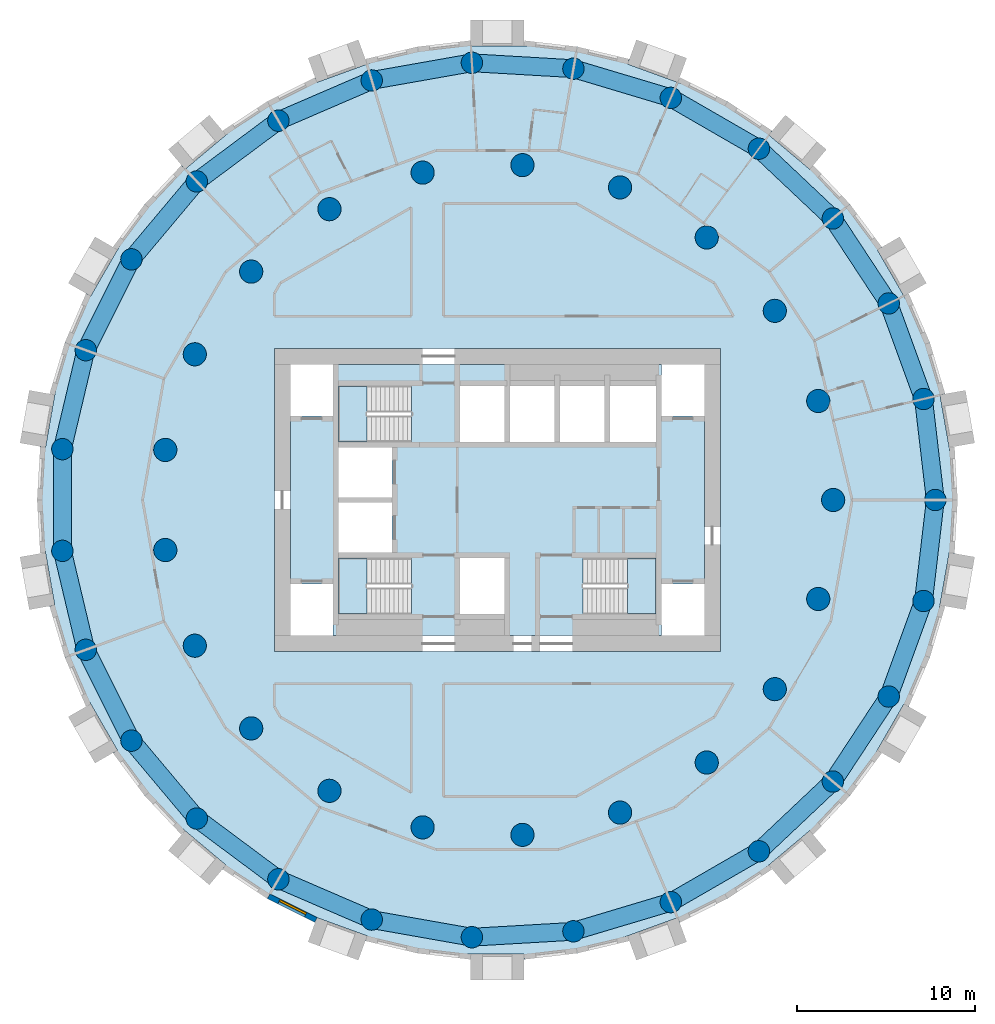
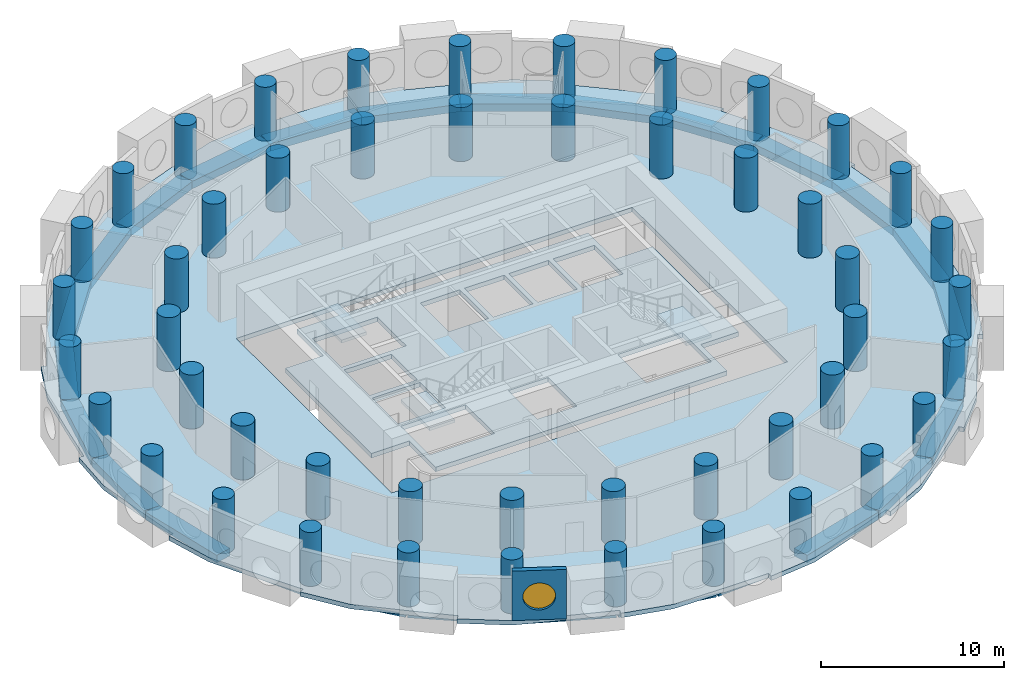
# One storey, part 1 of 9: 48 columns, 27 beams, 5 slabs, 1 wall, 1 window, 1 opening, 3 elements without a shape of their own.
"""IFC4 building model written with IfcOpenShell, lengths in metres."""

from ifc_helpers import new_model, si_unit, direction, frame, frame_2d, origin, origin_2d, place, context, subcontext, project, spatial, polyline, rectangle, circle, outline, extrude, material, layer, layer_set, material_profile, profile_set, type_object, element, fill, aggregate, save


model = new_model("IFC4")

# Units and contexts
model_context = context("Model", 3, precision=1e-05, world=origin(), true_north=direction((0.0, 1.0)))
body_context = subcontext(model_context, "Body", "Model", "MODEL_VIEW")
ifc_project = project(units=[si_unit("LENGTHUNIT", "METRE"), si_unit("AREAUNIT", "SQUARE_METRE"), si_unit("VOLUMEUNIT", "CUBIC_METRE"), si_unit("PLANEANGLEUNIT", "RADIAN"), si_unit("MASSUNIT", "GRAM", prefix="KILO")], contexts=[model_context])

# Site, building, storey
site_placement = place(None, origin())
site = spatial("IfcSite", under=ifc_project, at=site_placement, CompositionType="ELEMENT")
building_placement = place(site_placement, origin())
building = spatial("IfcBuilding", under=site, at=building_placement, Name="Tracery Tower", CompositionType="ELEMENT")
storey_placement = place(building_placement, frame((0.0, 0.0, 172.800048828125)))
storey = spatial("IfcBuildingStorey", under=building, at=storey_placement, Name="L44", CompositionType="ELEMENT", Elevation=172.800048828125)

# Columns
ifc_material_1 = material(Name="Concrete C50/60", Category="concrete")
ifc_material_profile_1 = material_profile(ifc_material_1, circle(Radius=0.60009765625, at=origin_2d()), Name="RC D1200")
ifc_profile_set_1 = profile_set([ifc_material_profile_1], Name="Concrete C50/60")
column_type_1 = type_object("IfcColumnType", Name="Ring 1 column 1200", PredefinedType="COLUMN", material=ifc_profile_set_1)
for number, where, z_axis, x_axis, name in (
    (1, (24.547607421875, 0.0, 0.0), (0.0, 0.0, 1.0), (1.0, 0.0, 0.0), "Ring 1 column 00 at L44"),
    (2, (23.885986328125, 5.6611328125, 0.0), (0.0, 0.0, 1.0), (1.0, 0.0, 0.0), "Ring 1 column 01 at L44"),
    (3, (21.9365234375, 11.01708984375, 0.0), (0.0, 0.0, 1.0), (1.0, 0.0, 0.0), "Ring 1 column 02 at L44"),
    (4, (18.8046875, 15.779052734375, 0.0), (0.0, 0.0, 1.0), (1.0, 0.0, 0.0), "Ring 1 column 03 at L44"),
    (5, (14.658935546875, 19.690185546875, 0.0), (0.0, 0.0, 1.0), (1.0, 0.0, 0.0), "Ring 1 column 04 at L44"),
    (6, (9.722900390625, 22.5400390625, 0.0), (0.0, 0.0, 1.0), (1.0, 0.0, 0.0), "Ring 1 column 05 at L44"),
    (7, (4.2626953125, 24.1748046875, 0.0), (0.0, 0.0, 1.0), (1.0, 0.0, 0.0), "Ring 1 column 06 at L44"),
    (8, (-1.42724609375, 24.506103515625, 0.0), (0.0, 0.0, 1.0), (1.0, 0.0, 0.0), "Ring 1 column 07 at L44"),
    (9, (-7.040283203125, 23.516357421875, 0.0), (0.0, 0.0, 1.0), (1.0, 0.0, 0.0), "Ring 1 column 08 at L44"),
    (10, (-12.273681640625, 21.2587890625, 0.0), (0.0, 0.0, 1.0), (1.0, 0.0, 0.0), "Ring 1 column 09 at L44"),
    (11, (-16.845703125, 17.855224609375, 0.0), (0.0, 0.0, 1.0), (1.0, 0.0, 0.0), "Ring 1 column 10 at L44"),
    (12, (-20.50927734375, 13.4892578125, 0.0), (0.0, 0.0, 1.0), (1.0, 0.0, 0.0), "Ring 1 column 11 at L44"),
    (13, (-23.0673828125, 8.395751953125, 0.0), (0.0, 0.0, 1.0), (1.0, 0.0, 0.0), "Ring 1 column 12 at L44"),
    (14, (-24.381591796875, 2.849853515625, 0.0), (0.0, 0.0, 1.0), (1.0, 0.0, 0.0), "Ring 1 column 13 at L44"),
    (15, (-24.381591796875, -2.849853515625, 0.0), (0.0, 0.0, 1.0), (1.0, 0.0, 0.0), "Ring 1 column 14 at L44"),
    (16, (-23.0673828125, -8.395751953125, 0.0), (0.0, 0.0, 1.0), (1.0, 0.0, 0.0), "Ring 1 column 15 at L44"),
    (17, (-20.50927734375, -13.4892578125, 0.0), (0.0, 0.0, 1.0), (1.0, 0.0, 0.0), "Ring 1 column 16 at L44"),
    (18, (-16.845703125, -17.85546875, 0.0), (0.0, 0.0, 1.0), (1.0, 0.0, 0.0), "Ring 1 column 17 at L44"),
    (19, (-12.27392578125, -21.2587890625, 0.0), (0.0, 0.0, 1.0), (1.0, 0.0, 0.0), "Ring 1 column 18 at L44"),
    (20, (-7.040283203125, -23.516357421875, 0.0), (0.0, 0.0, 1.0), (1.0, 0.0, 0.0), "Ring 1 column 19 at L44"),
    (21, (-1.42724609375, -24.506103515625, 0.0), (0.0, 0.0, 1.0), (1.0, 0.0, 0.0), "Ring 1 column 20 at L44"),
    (22, (4.2626953125, -24.1748046875, 0.0), (0.0, 0.0, 1.0), (1.0, 0.0, 0.0), "Ring 1 column 21 at L44"),
    (23, (9.722900390625, -22.5400390625, 0.0), (0.0, 0.0, 1.0), (1.0, 0.0, 0.0), "Ring 1 column 22 at L44"),
    (24, (14.658935546875, -19.690185546875, 0.0), (0.0, 0.0, 1.0), (1.0, 0.0, 0.0), "Ring 1 column 23 at L44"),
    (25, (18.8046875, -15.779052734375, 0.0), (0.0, 0.0, 1.0), (1.0, 0.0, 0.0), "Ring 1 column 24 at L44"),
    (26, (21.9365234375, -11.01708984375, 0.0), (0.0, 0.0, 1.0), (1.0, 0.0, 0.0), "Ring 1 column 25 at L44"),
    (27, (23.885986328125, -5.6611328125, 0.0), (0.0, 0.0, 1.0), (1.0, 0.0, 0.0), "Ring 1 column 26 at L44"),
):
    element("IfcColumn", number, at=place(storey_placement, frame(where, z_axis=z_axis, x_axis=x_axis)), inside=storey, type_object=column_type_1, Name=name, PredefinedType="COLUMN", context=body_context, shape_type="SweptSolid", body=[
        extrude(circle(Radius=0.60009765625, at=origin_2d()), origin(), (0.0, 0.0, 1.0), 3.599853515625),
    ])
ifc_material_2 = material(Name="Concrete C50/60", Category="concrete")
ifc_material_profile_2 = material_profile(ifc_material_2, circle(Radius=0.64990234375, at=origin_2d()), Name="RC D1300")
ifc_profile_set_2 = profile_set([ifc_material_profile_2], Name="Concrete C50/60")
column_type_2 = type_object("IfcColumnType", Name="Ring 2 column 1300", PredefinedType="COLUMN", material=ifc_profile_set_2)
for number, where, z_axis, x_axis, name in (
    (28, (18.822265625, 0.0, 0.0), (0.0, 0.0, 1.0), (1.0, 0.0, 0.0), "Ring 2 column 00 at L44"),
    (29, (17.986083984375, 5.5478515625, 0.0), (0.0, 0.0, 1.0), (1.0, 0.0, 0.0), "Ring 2 column 01 at L44"),
    (30, (15.551513671875, 10.602783203125, 0.0), (0.0, 0.0, 1.0), (1.0, 0.0, 0.0), "Ring 2 column 02 at L44"),
    (31, (11.7353515625, 14.7158203125, 0.0), (0.0, 0.0, 1.0), (1.0, 0.0, 0.0), "Ring 2 column 03 at L44"),
    (32, (6.87646484375, 17.52099609375, 0.0), (0.0, 0.0, 1.0), (1.0, 0.0, 0.0), "Ring 2 column 04 at L44"),
    (33, (1.406494140625, 18.76953125, 0.0), (0.0, 0.0, 1.0), (1.0, 0.0, 0.0), "Ring 2 column 05 at L44"),
    (34, (-4.188232421875, 18.350341796875, 0.0), (0.0, 0.0, 1.0), (1.0, 0.0, 0.0), "Ring 2 column 06 at L44"),
    (35, (-9.4111328125, 16.300537109375, 0.0), (0.0, 0.0, 1.0), (1.0, 0.0, 0.0), "Ring 2 column 07 at L44"),
    (36, (-13.797607421875, 12.802490234375, 0.0), (0.0, 0.0, 1.0), (1.0, 0.0, 0.0), "Ring 2 column 08 at L44"),
    (37, (-16.958251953125, 8.16650390625, 0.0), (0.0, 0.0, 1.0), (1.0, 0.0, 0.0), "Ring 2 column 09 at L44"),
    (38, (-18.612060546875, 2.805419921875, 0.0), (0.0, 0.0, 1.0), (1.0, 0.0, 0.0), "Ring 2 column 10 at L44"),
    (39, (-18.612060546875, -2.805419921875, 0.0), (0.0, 0.0, 1.0), (1.0, 0.0, 0.0), "Ring 2 column 11 at L44"),
    (40, (-16.958251953125, -8.166748046875, 0.0), (0.0, 0.0, 1.0), (1.0, 0.0, 0.0), "Ring 2 column 12 at L44"),
    (41, (-13.797607421875, -12.80224609375, 0.0), (0.0, 0.0, 1.0), (1.0, 0.0, 0.0), "Ring 2 column 13 at L44"),
    (42, (-9.4111328125, -16.300537109375, 0.0), (0.0, 0.0, 1.0), (1.0, 0.0, 0.0), "Ring 2 column 14 at L44"),
    (43, (-4.188232421875, -18.350341796875, 0.0), (0.0, 0.0, 1.0), (1.0, 0.0, 0.0), "Ring 2 column 15 at L44"),
    (44, (1.406494140625, -18.76953125, 0.0), (0.0, 0.0, 1.0), (1.0, 0.0, 0.0), "Ring 2 column 16 at L44"),
    (45, (6.87646484375, -17.52099609375, 0.0), (0.0, 0.0, 1.0), (1.0, 0.0, 0.0), "Ring 2 column 17 at L44"),
    (46, (11.7353515625, -14.7158203125, 0.0), (0.0, 0.0, 1.0), (1.0, 0.0, 0.0), "Ring 2 column 18 at L44"),
    (47, (15.551513671875, -10.602783203125, 0.0), (0.0, 0.0, 1.0), (1.0, 0.0, 0.0), "Ring 2 column 19 at L44"),
    (48, (17.986083984375, -5.5478515625, 0.0), (0.0, 0.0, 1.0), (1.0, 0.0, 0.0), "Ring 2 column 20 at L44"),
):
    element("IfcColumn", number, at=place(storey_placement, frame(where, z_axis=z_axis, x_axis=x_axis)), inside=storey, type_object=column_type_2, Name=name, PredefinedType="COLUMN", context=body_context, shape_type="SweptSolid", body=[
        extrude(circle(Radius=0.64990234375, at=origin_2d()), origin(), (0.0, 0.0, 1.0), 3.599853515625),
    ])

# Beams
ifc_material_3 = material(Name="Concrete C50/60", Category="concrete")
ifc_material_profile_3 = material_profile(ifc_material_3, rectangle(XDim=1.0, YDim=0.5, at=origin_2d()), Name="RC 1000x500")
ifc_profile_set_3 = profile_set([ifc_material_profile_3], Name="Concrete C50/60")
beam_type = type_object("IfcBeamType", Name="Perimeter band beam 1000x500", PredefinedType="BEAM", material=ifc_profile_set_3)
for number, where, z_axis, x_axis, name in (
    (49, (24.547607421875, 0.0, -0.550048828125), (-0.116080723252, 0.993239782575, 0.0), (-0.993239782575, -0.116080723252, 0.0), "Perimeter beam 1.00 under L44"),
    (50, (23.885986328125, 5.6611328125, -0.550048828125), (-0.342028502279, 0.939689578334, 0.0), (-0.939689578334, -0.342028502279, 0.0), "Perimeter beam 1.01 under L44"),
):
    element("IfcBeam", number, at=place(storey_placement, frame(where, z_axis=z_axis, x_axis=x_axis)), inside=storey, type_object=beam_type, Name=name, PredefinedType="BEAM", context=body_context, shape_type="SweptSolid", body=[
        extrude(rectangle(XDim=1.0, YDim=0.5, at=origin_2d()), origin(), (0.0, 0.0, 1.0), 5.69970703125),
    ])
for number, where, z_axis, x_axis, name in (
    (51, (21.9365234375, 11.01708984375, -0.550048828125), (-0.549489832182, 0.835500403548, 0.0), (-0.835500403548, -0.549489832182, 0.0), "Perimeter beam 1.02 under L44"),
    (52, (18.8046875, 15.779052734375, -0.550048828125), (-0.727389618263, 0.686224703172, 0.0), (-0.686224703172, -0.727389618263, 0.0), "Perimeter beam 1.03 under L44"),
):
    element("IfcBeam", number, at=place(storey_placement, frame(where, z_axis=z_axis, x_axis=x_axis)), inside=storey, type_object=beam_type, Name=name, PredefinedType="BEAM", context=body_context, shape_type="SweptSolid", body=[
        extrude(rectangle(XDim=1.0, YDim=0.5, at=origin_2d()), origin(), (0.0, 0.0, 1.0), 5.699462890625),
    ])
for number, where, z_axis, x_axis, name in (
    (53, (14.658935546875, 19.690185546875, -0.550048828125), (-0.866022950691, 0.500004248858, 0.0), (-0.500004248858, -0.866022950691, 0.0), "Perimeter beam 1.04 under L44"),
    (54, (9.722900390625, 22.5400390625, -0.550048828125), (-0.957985292634, 0.28681732705, 0.0), (-0.28681732705, -0.957985292634, 0.0), "Perimeter beam 1.05 under L44"),
):
    element("IfcBeam", number, at=place(storey_placement, frame(where, z_axis=z_axis, x_axis=x_axis)), inside=storey, type_object=beam_type, Name=name, PredefinedType="BEAM", context=body_context, shape_type="SweptSolid", body=[
        extrude(rectangle(XDim=1.0, YDim=0.5, at=origin_2d()), origin(), (0.0, 0.0, 1.0), 5.69970703125),
    ])
beam_1_placement = place(storey_placement, frame((4.2626953125, 24.1748046875, -0.550048828125), z_axis=(-0.99830920221, 0.058126902403, 0.0), x_axis=(-0.058126902403, -0.99830920221, 0.0)))
element("IfcBeam", 55, at=beam_1_placement, inside=storey, type_object=beam_type, Name="Perimeter beam 1.06 under L44", PredefinedType="BEAM", context=body_context, shape_type="SweptSolid", body=[
    extrude(rectangle(XDim=1.0, YDim=0.5, at=origin_2d()), origin(), (0.0, 0.0, 1.0), 5.699462890625),
])
beam_2_placement = place(storey_placement, frame((-1.42724609375, 24.506103515625, -0.550048828125), z_axis=(-0.984807266719, -0.173650935552, 0.0), x_axis=(0.173650935552, -0.984807266719, 0.0)))
element("IfcBeam", 56, at=beam_2_placement, inside=storey, type_object=beam_type, Name="Perimeter beam 1.07 under L44", PredefinedType="BEAM", context=body_context, shape_type="SweptSolid", body=[
    extrude(rectangle(XDim=1.0, YDim=0.5, at=origin_2d()), origin(), (0.0, 0.0, 1.0), 5.69970703125),
])
beam_3_placement = place(storey_placement, frame((-7.040283203125, 23.516357421875, -0.550048828125), z_axis=(-0.918209685525, -0.396094652083, 0.0), x_axis=(0.396094652083, -0.918209685525, 0.0)))
element("IfcBeam", 57, at=beam_3_placement, inside=storey, type_object=beam_type, Name="Perimeter beam 1.08 under L44", PredefinedType="BEAM", context=body_context, shape_type="SweptSolid", body=[
    extrude(rectangle(XDim=1.0, YDim=0.5, at=origin_2d()), origin(), (0.0, 0.0, 1.0), 5.699462890625),
])
beam_4_placement = place(storey_placement, frame((-12.273681640625, 21.2587890625, -0.550048828125), z_axis=(-0.802138271299, -0.59713833717, 0.0), x_axis=(0.59713833717, -0.802138271299, 0.0)))
element("IfcBeam", 58, at=beam_4_placement, inside=storey, type_object=beam_type, Name="Perimeter beam 1.09 under L44", PredefinedType="BEAM", context=body_context, shape_type="SweptSolid", body=[
    extrude(rectangle(XDim=1.0, YDim=0.5, at=origin_2d()), origin(), (0.0, 0.0, 1.0), 5.69970703125),
])
beam_5_placement = place(storey_placement, frame((-16.845703125, 17.855224609375, -0.550048828125), z_axis=(-0.642797194343, -0.766036400535, 0.0), x_axis=(0.766036400535, -0.642797194343, 0.0)))
element("IfcBeam", 59, at=beam_5_placement, inside=storey, type_object=beam_type, Name="Perimeter beam 1.10 under L44", PredefinedType="BEAM", context=body_context, shape_type="SweptSolid", body=[
    extrude(rectangle(XDim=1.0, YDim=0.5, at=origin_2d()), origin(), (0.0, 0.0, 1.0), 5.699462890625),
])
beam_6_placement = place(storey_placement, frame((-20.50927734375, 13.4892578125, -0.550048828125), z_axis=(-0.448806280933, -0.893629074166, 0.0), x_axis=(0.893629074166, -0.448806280933, 0.0)))
element("IfcBeam", 60, at=beam_6_placement, inside=storey, type_object=beam_type, Name="Perimeter beam 1.11 under L44", PredefinedType="BEAM", context=body_context, shape_type="SweptSolid", body=[
    extrude(rectangle(XDim=1.0, YDim=0.5, at=origin_2d()), origin(), (0.0, 0.0, 1.0), 5.69970703125),
])
beam_7_placement = place(storey_placement, frame((-23.0673828125, 8.395751953125, -0.550048828125), z_axis=(-0.230583793756, -0.973052472407, 0.0), x_axis=(0.973052472407, -0.230583793756, 0.0)))
element("IfcBeam", 61, at=beam_7_placement, inside=storey, type_object=beam_type, Name="Perimeter beam 1.12 under L44", PredefinedType="BEAM", context=body_context, shape_type="SweptSolid", body=[
    extrude(rectangle(XDim=1.0, YDim=0.5, at=origin_2d()), origin(), (0.0, 0.0, 1.0), 5.699462890625),
])
beam_8_placement = place(storey_placement, frame((-24.381591796875, 2.849853515625, -0.550048828125), z_axis=(0.0, -1.0, 0.0), x_axis=(1.0, 0.0, 0.0)))
element("IfcBeam", 62, at=beam_8_placement, inside=storey, type_object=beam_type, Name="Perimeter beam 1.13 under L44", PredefinedType="BEAM", context=body_context, shape_type="SweptSolid", body=[
    extrude(rectangle(XDim=1.0, YDim=0.5, at=origin_2d()), origin(), (0.0, 0.0, 1.0), 5.69970703125),
])
beam_9_placement = place(storey_placement, frame((-24.381591796875, -2.849853515625, -0.550048828125), z_axis=(0.230583793756, -0.973052472407, 0.0), x_axis=(0.973052472407, 0.230583793756, 0.0)))
element("IfcBeam", 63, at=beam_9_placement, inside=storey, type_object=beam_type, Name="Perimeter beam 1.14 under L44", PredefinedType="BEAM", context=body_context, shape_type="SweptSolid", body=[
    extrude(rectangle(XDim=1.0, YDim=0.5, at=origin_2d()), origin(), (0.0, 0.0, 1.0), 5.699462890625),
])
for number, where, z_axis, x_axis, name in (
    (64, (-23.0673828125, -8.395751953125, -0.550048828125), (0.448806280933, -0.893629074166, 0.0), (0.893629074166, 0.448806280933, 0.0), "Perimeter beam 1.15 under L44"),
    (65, (-20.50927734375, -13.4892578125, -0.550048828125), (0.64277610208, -0.766054099, 0.0), (0.766054099, 0.64277610208, 0.0), "Perimeter beam 1.16 under L44"),
):
    element("IfcBeam", number, at=place(storey_placement, frame(where, z_axis=z_axis, x_axis=x_axis)), inside=storey, type_object=beam_type, Name=name, PredefinedType="BEAM", context=body_context, shape_type="SweptSolid", body=[
        extrude(rectangle(XDim=1.0, YDim=0.5, at=origin_2d()), origin(), (0.0, 0.0, 1.0), 5.69970703125),
    ])
beam_10_placement = place(storey_placement, frame((-16.845703125, -17.85546875, -0.550048828125), z_axis=(0.802143514942, -0.597131293298, 0.0), x_axis=(0.597131293298, 0.802143514942, 0.0)))
element("IfcBeam", 66, at=beam_10_placement, inside=storey, type_object=beam_type, Name="Perimeter beam 1.17 under L44", PredefinedType="BEAM", context=body_context, shape_type="SweptSolid", body=[
    extrude(rectangle(XDim=1.0, YDim=0.5, at=origin_2d()), origin(), (0.0, 0.0, 1.0), 5.699462890625),
])
for number, where, z_axis, x_axis, name in (
    (67, (-12.27392578125, -21.2587890625, -0.550048828125), (0.918216405543, -0.39607907366, 0.0), (0.39607907366, 0.918216405543, 0.0), "Perimeter beam 1.18 under L44"),
    (68, (-7.040283203125, -23.516357421875, -0.550048828125), (0.984807266719, -0.173650935552, 0.0), (0.173650935552, 0.984807266719, 0.0), "Perimeter beam 1.19 under L44"),
):
    element("IfcBeam", number, at=place(storey_placement, frame(where, z_axis=z_axis, x_axis=x_axis)), inside=storey, type_object=beam_type, Name=name, PredefinedType="BEAM", context=body_context, shape_type="SweptSolid", body=[
        extrude(rectangle(XDim=1.0, YDim=0.5, at=origin_2d()), origin(), (0.0, 0.0, 1.0), 5.69970703125),
    ])
beam_11_placement = place(storey_placement, frame((-1.42724609375, -24.506103515625, -0.550048828125), z_axis=(0.99830920221, 0.058126902403, 0.0), x_axis=(-0.058126902403, 0.99830920221, 0.0)))
element("IfcBeam", 69, at=beam_11_placement, inside=storey, type_object=beam_type, Name="Perimeter beam 1.20 under L44", PredefinedType="BEAM", context=body_context, shape_type="SweptSolid", body=[
    extrude(rectangle(XDim=1.0, YDim=0.5, at=origin_2d()), origin(), (0.0, 0.0, 1.0), 5.699462890625),
])
for number, where, z_axis, x_axis, name in (
    (70, (4.2626953125, -24.1748046875, -0.550048828125), (0.957985292634, 0.28681732705, 0.0), (-0.28681732705, 0.957985292634, 0.0), "Perimeter beam 1.21 under L44"),
    (71, (9.722900390625, -22.5400390625, -0.550048828125), (0.866022950691, 0.500004248858, 0.0), (-0.500004248858, 0.866022950691, 0.0), "Perimeter beam 1.22 under L44"),
):
    element("IfcBeam", number, at=place(storey_placement, frame(where, z_axis=z_axis, x_axis=x_axis)), inside=storey, type_object=beam_type, Name=name, PredefinedType="BEAM", context=body_context, shape_type="SweptSolid", body=[
        extrude(rectangle(XDim=1.0, YDim=0.5, at=origin_2d()), origin(), (0.0, 0.0, 1.0), 5.69970703125),
    ])
for number, where, z_axis, x_axis, name in (
    (72, (14.658935546875, -19.690185546875, -0.550048828125), (0.727389618263, 0.686224703172, 0.0), (-0.686224703172, 0.727389618263, 0.0), "Perimeter beam 1.23 under L44"),
    (73, (18.8046875, -15.779052734375, -0.550048828125), (0.549489832182, 0.835500403548, 0.0), (-0.835500403548, 0.549489832182, 0.0), "Perimeter beam 1.24 under L44"),
):
    element("IfcBeam", number, at=place(storey_placement, frame(where, z_axis=z_axis, x_axis=x_axis)), inside=storey, type_object=beam_type, Name=name, PredefinedType="BEAM", context=body_context, shape_type="SweptSolid", body=[
        extrude(rectangle(XDim=1.0, YDim=0.5, at=origin_2d()), origin(), (0.0, 0.0, 1.0), 5.699462890625),
    ])
for number, where, z_axis, x_axis, name in (
    (74, (21.9365234375, -11.01708984375, -0.550048828125), (0.342028502279, 0.939689578334, 0.0), (-0.939689578334, 0.342028502279, 0.0), "Perimeter beam 1.25 under L44"),
    (75, (23.885986328125, -5.6611328125, -0.550048828125), (0.116080723252, 0.993239782575, 0.0), (-0.993239782575, 0.116080723252, 0.0), "Perimeter beam 1.26 under L44"),
):
    element("IfcBeam", number, at=place(storey_placement, frame(where, z_axis=z_axis, x_axis=x_axis)), inside=storey, type_object=beam_type, Name=name, PredefinedType="BEAM", context=body_context, shape_type="SweptSolid", body=[
        extrude(rectangle(XDim=1.0, YDim=0.5, at=origin_2d()), origin(), (0.0, 0.0, 1.0), 5.69970703125),
    ])

# Slabs
ifc_material_4 = material(Name="Concrete C50/60", Category="concrete")
ifc_layer_1 = layer(ifc_material_4, 0.300048828125)
ifc_layer_set_1 = layer_set([ifc_layer_1], Name="Core floor slab 300 C50")
slab_type_1 = type_object("IfcSlabType", Name="Core floor slab 300 C50", PredefinedType="FLOOR", material=ifc_layer_set_1)
slab_1_placement = place(storey_placement, frame((0.0, 0.0, -0.300048828125)))
element("IfcSlab", 76, at=slab_1_placement, inside=storey, type_object=slab_type_1, Name="L44 core floor 1", PredefinedType="FLOOR", context=body_context, shape_type="SweptSolid", body=[
    extrude(outline(polyline([(-9.199951171875, 7.60009765625), (9.199951171875, 7.60009765625), (9.199951171875, 4.699951171875), (11.60009765625, 4.699951171875), (11.60009765625, -4.699951171875), (9.199951171875, -4.699951171875), (9.199951171875, -7.60009765625), (-9.199951171875, -7.60009765625), (-9.199951171875, -4.699951171875), (-11.60009765625, -4.699951171875), (-11.60009765625, 4.699951171875), (-9.199951171875, 4.699951171875), (-9.199951171875, 7.60009765625)]), holes=[polyline([(4.800537109375, -6.39990234375), (8.89990234375, -6.39990234375), (8.89990234375, -3.25), (4.800537109375, -3.25), (4.800537109375, -6.39990234375)]), polyline([(8.89990234375, 3.25), (8.89990234375, 6.39990234375), (6.300048828125, 6.39990234375), (6.300048828125, 3.25), (8.89990234375, 3.25)]), polyline([(6.0, 3.25), (6.0, 6.39990234375), (3.5, 6.39990234375), (3.5, 3.25), (6.0, 3.25)]), polyline([(3.199951171875, 3.25), (3.199951171875, 6.39990234375), (0.699951171875, 6.39990234375), (0.699951171875, 3.25), (3.199951171875, 3.25)]), polyline([(-2.10009765625, 3.25), (0.39990234375, 3.25), (0.39990234375, 6.39990234375), (-2.10009765625, 6.39990234375), (-2.10009765625, 3.25)]), polyline([(0.39990234375, -6.39990234375), (0.39990234375, -3.25), (-2.10009765625, -3.25), (-2.10009765625, -6.39990234375), (0.39990234375, -6.39990234375)]), polyline([(-4.800537109375, -3.25), (-8.89990234375, -3.25), (-8.89990234375, -6.39990234375), (-4.800537109375, -6.39990234375), (-4.800537109375, -3.25)]), polyline([(-4.800537109375, 6.39990234375), (-8.89990234375, 6.39990234375), (-8.89990234375, 3.25), (-4.800537109375, 3.25), (-4.800537109375, 6.39990234375)]), polyline([(-5.89990234375, -2.949951171875), (-5.89990234375, -0.14990234375), (-8.89990234375, -0.14990234375), (-8.89990234375, -2.949951171875), (-5.89990234375, -2.949951171875)]), polyline([(-5.89990234375, 0.14990234375), (-5.89990234375, 2.949951171875), (-8.89990234375, 2.949951171875), (-8.89990234375, 0.14990234375), (-5.89990234375, 0.14990234375)])]), origin(), (0.0, 0.0, 1.0), 0.300048828125),
])
ifc_material_5 = material(Name="Concrete C40/50", Category="concrete")
ifc_layer_2 = layer(ifc_material_5, 0.300048828125)
ifc_layer_set_2 = layer_set([ifc_layer_2], Name="Floor slab 300")
slab_type_2 = type_object("IfcSlabType", Name="Floor slab 300", PredefinedType="FLOOR", material=ifc_layer_set_2)
slab_2_placement = place(storey_placement, frame((0.0, 0.0, -0.300048828125)))
element("IfcSlab", 77, at=slab_2_placement, inside=storey, type_object=slab_type_2, Name="Floor slab L44", PredefinedType="FLOOR", context=body_context, shape_type="SweptSolid", body=[
    extrude(outline(polyline([(25.32470703125, 2.959716796875), (25.07568359375, 4.373291015625), (24.809814453125, 5.880126953125), (24.809814453125, 5.880126953125), (24.806884765625, 5.897216796875), (25.1015625, 5.94921875), (25.102294921875, 5.949462890625), (24.241943359375, 8.8232421875), (22.78515625, 11.443115234375), (21.302490234375, 14.010986328125), (21.302490234375, 14.010986328125), (21.2939453125, 14.026123046875), (21.5537109375, 14.176025390625), (21.5537109375, 14.176025390625), (19.76220703125, 16.58251953125), (17.497314453125, 18.5458984375), (16.89501953125, 19.051513671875), (15.21240234375, 20.463134765625), (15.4052734375, 20.69287109375), (12.89892578125, 22.341552734375), (10.098876953125, 23.411865234375), (7.312744140625, 24.426025390625), (7.312744140625, 24.426025390625), (7.29638671875, 24.431884765625), (7.39892578125, 24.7138671875), (4.479736328125, 25.40576171875), (1.4853515625, 25.4541015625), (-1.5, 25.4541015625), (-1.5, 25.754150390625), (-4.479736328125, 25.40576171875), (-7.312744140625, 24.426025390625), (-10.098876953125, 23.411865234375), (-10.098876953125, 23.411865234375), (-10.115234375, 23.406005859375), (-10.218017578125, 23.68798828125), (-12.898681640625, 22.341552734375), (-15.224609375, 20.453125), (-16.89501953125, 19.051513671875), (-17.497314453125, 18.5458984375), (-17.497314453125, 18.5458984375), (-17.510498046875, 18.534912109375), (-17.703369140625, 18.764404296875), (-17.70361328125, 18.7646484375), (-19.76220703125, 16.58251953125), (-21.302490234375, 14.010986328125), (-22.78515625, 11.443115234375), (-22.78515625, 11.443115234375), (-22.7939453125, 11.427978515625), (-23.0537109375, 11.577880859375), (-23.0537109375, 11.577880859375), (-24.241943359375, 8.8232421875), (-24.809814453125, 5.880126953125), (-25.07568359375, 4.373291015625), (-25.327880859375, 2.94287109375), (-25.622802734375, 2.994873046875), (-25.623291015625, 2.994873046875), (-25.797607421875, 0.0), (-25.32470703125, -2.959716796875), (-25.07568359375, -4.373291015625), (-24.809814453125, -5.880126953125), (-24.809814453125, -5.880126953125), (-24.806884765625, -5.897216796875), (-25.1015625, -5.94921875), (-25.102294921875, -5.949462890625), (-24.241943359375, -8.8232421875), (-22.78515625, -11.443115234375), (-21.302490234375, -14.010986328125), (-21.302490234375, -14.010986328125), (-21.2939453125, -14.026123046875), (-21.5537109375, -14.176025390625), (-21.5537109375, -14.176025390625), (-19.76220703125, -16.58251953125), (-17.497314453125, -18.5458984375), (-16.89501953125, -19.051513671875), (-15.21240234375, -20.463134765625), (-15.4052734375, -20.69287109375), (-12.89892578125, -22.341552734375), (-10.098876953125, -23.411865234375), (-7.312744140625, -24.426025390625), (-7.312744140625, -24.426025390625), (-7.29638671875, -24.431884765625), (-7.39892578125, -24.7138671875), (-4.479736328125, -25.40576171875), (-1.4853515625, -25.4541015625), (1.5, -25.4541015625), (1.5, -25.754150390625), (4.479736328125, -25.40576171875), (7.312744140625, -24.426025390625), (10.098876953125, -23.411865234375), (10.098876953125, -23.411865234375), (10.115234375, -23.406005859375), (10.218017578125, -23.68798828125), (12.89892578125, -22.341552734375), (15.224609375, -20.453125), (16.89501953125, -19.051513671875), (17.497314453125, -18.5458984375), (17.497314453125, -18.5458984375), (17.510498046875, -18.534912109375), (17.703369140625, -18.764404296875), (17.70361328125, -18.7646484375), (19.76220703125, -16.58251953125), (21.302490234375, -14.010986328125), (22.78515625, -11.443115234375), (22.78515625, -11.443115234375), (22.7939453125, -11.427978515625), (23.0537109375, -11.577880859375), (23.0537109375, -11.577880859375), (24.241943359375, -8.8232421875), (24.809814453125, -5.880126953125), (25.07568359375, -4.373291015625), (25.327880859375, -2.94287109375), (25.622802734375, -2.994873046875), (25.623291015625, -2.994873046875), (25.797607421875, 0.0), (25.32470703125, 2.959716796875)]), holes=[polyline([(-12.5, -8.5), (12.5, -8.5), (12.5, 8.5), (-12.5, 8.5), (-12.5, -8.5)])]), origin(), (0.0, 0.0, 1.0), 0.300048828125),
])

# Stair, slab
ifc_material_6 = material(Name="Concrete C32/40", Category="concrete")
stair_type = type_object("IfcStairType", Name="Core stair 22 risers", PredefinedType="HALF_TURN_STAIR", material=ifc_material_6)
stair_1_placement = place(storey_placement, origin())
stair_1 = element("IfcStair", 78, at=stair_1_placement, inside=storey, type_object=stair_type, Name="L44 stair ST1", PredefinedType="HALF_TURN_STAIR")
ifc_material_7 = material(Name="Concrete C32/40", Category="concrete")
ifc_layer_3 = layer(ifc_material_7, 0.199951171875)
ifc_layer_set_3 = layer_set([ifc_layer_3], Name="Stair landing slab 200")
slab_type_3 = type_object("IfcSlabType", Name="Stair landing slab 200", PredefinedType="LANDING", material=ifc_layer_set_3)
slab_3_placement = place(storey_placement, frame((0.0, 0.0, 1.599853515625)))
slab_3 = element("IfcSlab", 79, at=slab_3_placement, type_object=slab_type_3, Name="ST1 landing 1", PredefinedType="LANDING", context=body_context, shape_type="SweptSolid", body=[
    extrude(outline(polyline([(-7.29931640625, -3.25), (-8.89990234375, -3.25), (-8.89990234375, -6.39990234375), (-7.29931640625, -6.39990234375), (-7.29931640625, -3.25)])), origin(), (0.0, 0.0, 1.0), 0.2001953125),
])
aggregate(stair_1, [slab_3])

stair_2_placement = place(storey_placement, origin())
stair_2 = element("IfcStair", 80, at=stair_2_placement, inside=storey, type_object=stair_type, Name="L44 stair ST3", PredefinedType="HALF_TURN_STAIR")
slab_4_placement = place(storey_placement, frame((0.0, 0.0, 1.599853515625)))
slab_4 = element("IfcSlab", 81, at=slab_4_placement, type_object=slab_type_3, Name="ST3 landing 1", PredefinedType="LANDING", context=body_context, shape_type="SweptSolid", body=[
    extrude(outline(polyline([(-7.29931640625, 6.39990234375), (-8.89990234375, 6.39990234375), (-8.89990234375, 3.25), (-7.29931640625, 3.25), (-7.29931640625, 6.39990234375)])), origin(), (0.0, 0.0, 1.0), 0.2001953125),
])
aggregate(stair_2, [slab_4])

stair_3_placement = place(storey_placement, origin())
stair_3 = element("IfcStair", 82, at=stair_3_placement, inside=storey, type_object=stair_type, Name="L44 stair ST2", PredefinedType="HALF_TURN_STAIR")
slab_5_placement = place(storey_placement, frame((0.0, 0.0, 1.599853515625)))
slab_5 = element("IfcSlab", 83, at=slab_5_placement, type_object=slab_type_3, Name="ST2 landing 1", PredefinedType="LANDING", context=body_context, shape_type="SweptSolid", body=[
    extrude(outline(polyline([(7.29931640625, -6.39990234375), (8.89990234375, -6.39990234375), (8.89990234375, -3.25), (7.29931640625, -3.25), (7.29931640625, -6.39990234375)])), origin(), (0.0, 0.0, 1.0), 0.2001953125),
])
aggregate(stair_3, [slab_5])

# Wall, opening, window
ifc_material_8 = material(Name="Precast concrete C50/60", Category="concrete")
ifc_layer_4 = layer(ifc_material_8, 0.300048828125)
ifc_layer_set_4 = layer_set([ifc_layer_4], Name="Facade panel 3000 x 3300")
wall_type = type_object("IfcWallType", Name="Facade panel 3000 x 3300", PredefinedType="SOLIDWALL", material=ifc_layer_set_4)
wall_placement = place(storey_placement, frame((-12.82373046875, -22.21142578125, 0.0), z_axis=(0.0, 0.0, 1.0), x_axis=(0.893637442555, -0.448789618045, 0.0)))
wall = element("IfcWall", 84, at=wall_placement, inside=storey, type_object=wall_type, Name="Facade panel 37 at L44", PredefinedType="SOLIDWALL", context=body_context, shape_type="SweptSolid", body=[
    extrude(rectangle(XDim=2.972900390625, YDim=0.300048828125, at=frame_2d((1.486328125, 0.0))), origin(), (0.0, 0.0, 1.0), 3.300048828125),
])
opening_placement = place(wall_placement, frame((1.486328125, 0.0, 1.5498046875)))
opening = element("IfcOpeningElement", 85, at=opening_placement, cuts=wall, Name="Opening WN1", PredefinedType="OPENING", context=body_context, shape_type="SweptSolid", body=[
    extrude(circle(Radius=0.9000244140625, at=origin_2d()), frame((0.0, 0.159912109375, 0.0), z_axis=(0.0, -1.0, 0.0), x_axis=(1.0, 0.0, 0.0)), (0.0, 0.0, 1.0), 0.320068359375),
])
ifc_material_9 = material(Name="Aluminium frame with tinted double glazing", Category="aluminium")
window_type = type_object("IfcWindowType", Name="Round window 1800", PartitioningType="SINGLE_PANEL", PredefinedType="WINDOW", material=ifc_material_9)
window_placement = place(opening_placement, origin())
window = element("IfcWindow", 86, at=window_placement, inside=storey, type_object=window_type, Name="Round window 37 at L44", OverallHeight=1.800048828125, OverallWidth=1.800048828125, PartitioningType="SINGLE_PANEL", PredefinedType="WINDOW", context=body_context, shape_type="SweptSolid", body=[
    extrude(circle(Radius=0.9000244140625, at=origin_2d()), frame((0.0, 0.1201171875, 0.0), z_axis=(0.0, -1.0, 0.0), x_axis=(1.0, 0.0, 0.0)), (0.0, 0.0, 1.0), 0.10009765625),
])
fill(opening, window)

save(model, "model.ifc")
